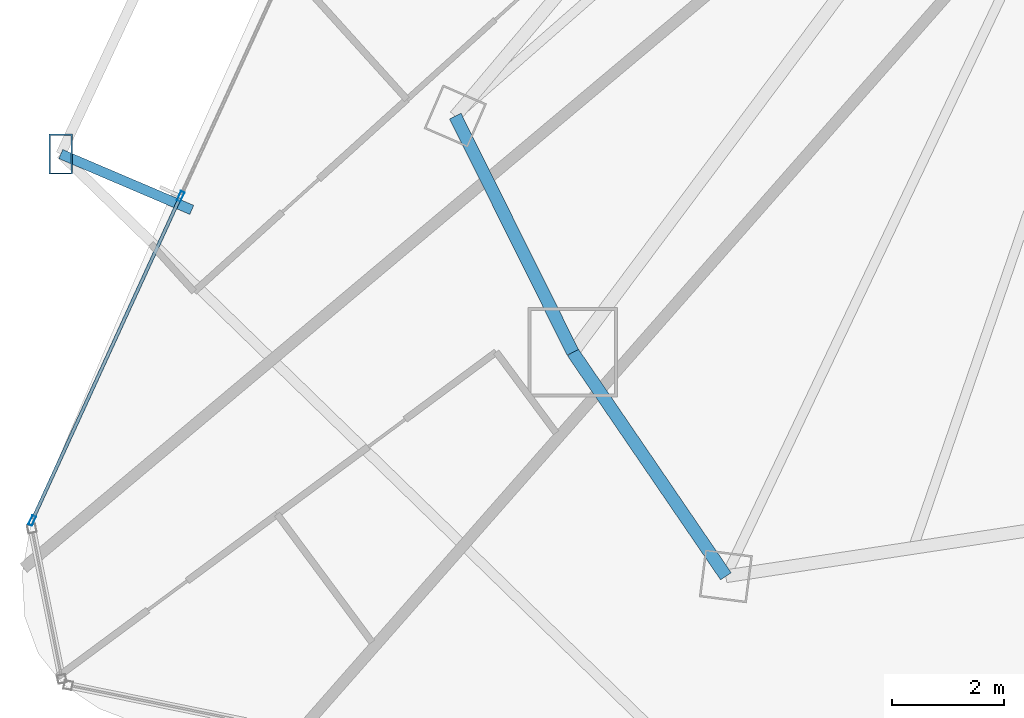
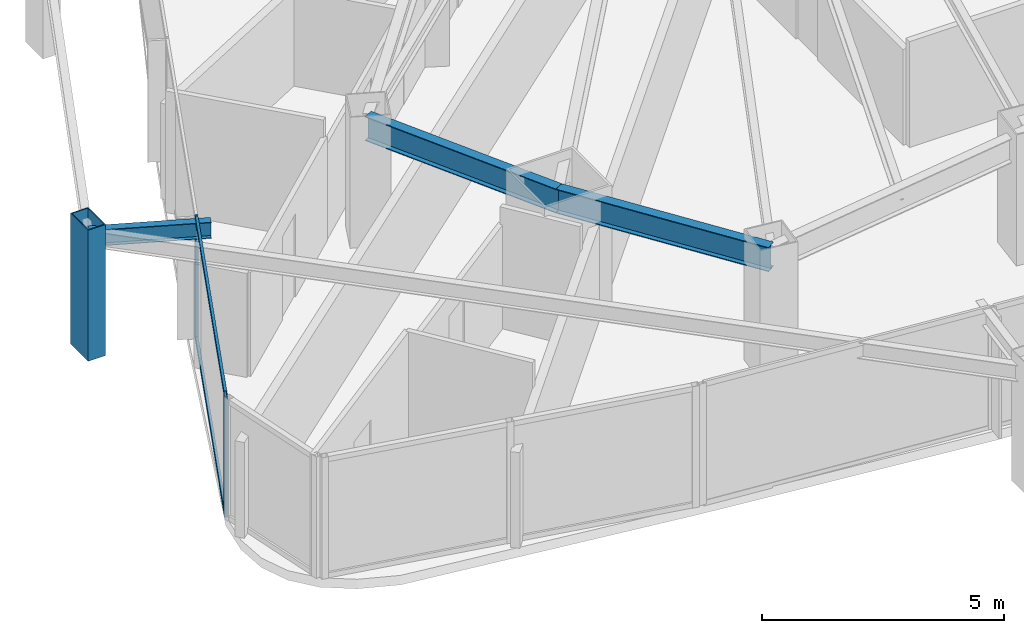
# One storey, part 5 of 38: 5 members, 3 beams, 1 element without a shape of its own.
"""IFC4 building model written with IfcOpenShell, lengths in metres."""

from ifc_helpers import new_model, si_unit, direction, frame, origin, origin_2d, place, context, subcontext, project, spatial, hollow_rectangle, i_section, extrude, material, layer, layer_set, material_profile, profile_set, type_object, element, aggregate, save


model = new_model("IFC4")

# Units and contexts
model_context = context("Model", 3, precision=1e-05, world=origin(), true_north=direction((0.0, 1.0)))
body_context = subcontext(model_context, "Body", "Model", "MODEL_VIEW")
ifc_project = project(units=[si_unit("LENGTHUNIT", "METRE"), si_unit("AREAUNIT", "SQUARE_METRE"), si_unit("VOLUMEUNIT", "CUBIC_METRE"), si_unit("PLANEANGLEUNIT", "RADIAN"), si_unit("MASSUNIT", "GRAM", prefix="KILO")], contexts=[model_context])

# Site, building, storey
site_placement = place(None, origin())
site = spatial("IfcSite", under=ifc_project, at=site_placement, CompositionType="ELEMENT")
building_placement = place(site_placement, origin())
building = spatial("IfcBuilding", under=site, at=building_placement, Name="Orvanel Arch Residences", CompositionType="ELEMENT")
storey_placement = place(building_placement, frame((0.0, 0.0, 46.699951171875)))
storey = spatial("IfcBuildingStorey", under=building, at=storey_placement, Name="L12", CompositionType="ELEMENT", Elevation=46.699951171875)

# Member
ifc_material_1 = material(Name="Structural steel AS/NZS 3678 Grade 350", Category="steel")
ifc_material_profile_1 = material_profile(ifc_material_1, hollow_rectangle(XDim=0.419921875, YDim=0.719970703125, WallThickness=0.02490234375, at=origin_2d()), Name="RHS720x420x25")
ifc_profile_set_1 = profile_set([ifc_material_profile_1], Name="Structural steel AS/NZS 3678 Grade 350")
member_type_1 = type_object("IfcMemberType", Name="CH-720RHS-EXT", PredefinedType="CHORD", material=ifc_profile_set_1)
member_1_placement = place(storey_placement, frame((5.029052734375, 13.90087890625, 0.0), z_axis=(0.0, 0.0, 1.0), x_axis=(1.0, 0.0, 0.0)))
element("IfcMember", 1, at=member_1_placement, inside=storey, type_object=member_type_1, Name="L12 Outer Perimeter Frame Post 04", PredefinedType="CHORD", context=body_context, shape_type="SweptSolid", body=[
    extrude(hollow_rectangle(XDim=0.419921875, YDim=0.719970703125, WallThickness=0.02490234375, at=origin_2d()), origin(), (0.0, 0.0, 1.0), 3.300048828125),
])

# Curtain wall, members
ifc_material_2 = material(Name="Bronze-anodised aluminium AA6063-T6", Category="aluminium")
ifc_layer = layer(ifc_material_2, 0.179931640625)
ifc_layer_set = layer_set([ifc_layer], Name="Bronze-anodised aluminium AA6063-T6")
curtain_wall_type = type_object("IfcCurtainWallType", Name="CW2-LOW-SYS", PredefinedType="NOTDEFINED", material=ifc_layer_set)
curtain_wall_placement = place(storey_placement, origin())
curtain_wall = element("IfcCurtainWall", 2, at=curtain_wall_placement, inside=storey, type_object=curtain_wall_type, Name="L12 CW2-LOW-SYS Unitised Curtain Wall", PredefinedType="NOTDEFINED")
ifc_material_profile_2 = material_profile(ifc_material_2, hollow_rectangle(XDim=0.070068359375, YDim=0.179931640625, WallThickness=0.00439453125, at=origin_2d()), Name="ALU180x70x4.5")
ifc_profile_set_2 = profile_set([ifc_material_profile_2], Name="Bronze-anodised aluminium AA6063-T6")
member_type_2 = type_object("IfcMemberType", Name="MUL-180x70", PredefinedType="MULLION", material=ifc_profile_set_2)
member_2_placement = place(storey_placement, frame((7.17529296875, 13.1435546875, 0.0), z_axis=(0.0, 0.0, 1.0), x_axis=(0.909193369398, -0.416374131092, 0.0)))
member_2 = element("IfcMember", 3, at=member_2_placement, type_object=member_type_2, Name="CW-S2 mullion 3", PredefinedType="MULLION", context=body_context, shape_type="SweptSolid", body=[
    extrude(hollow_rectangle(XDim=0.070068359375, YDim=0.179931640625, WallThickness=0.00439453125, at=origin_2d()), origin(), (0.0, 0.0, 1.0), 3.06005859375),
])
member_3_placement = place(storey_placement, frame((4.515625, 7.3359375, 0.0), z_axis=(0.0, 0.0, 1.0), x_axis=(0.909193369398, -0.416374131092, 0.0)))
member_3 = element("IfcMember", 4, at=member_3_placement, type_object=member_type_2, Name="CW-S2 mullion 4", PredefinedType="MULLION", context=body_context, shape_type="SweptSolid", body=[
    extrude(hollow_rectangle(XDim=0.070068359375, YDim=0.179931640625, WallThickness=0.00439453125, at=origin_2d()), origin(), (0.0, 0.0, 1.0), 3.06005859375),
])

# Beams
ifc_material_3 = material(Name="Structural steel AS/NZS 3679.1 Grade 300 (300 MPa)", Category="steel")
ifc_material_profile_3 = material_profile(ifc_material_3, i_section(OverallWidth=0.177978515625, OverallDepth=0.406005859375, WebThickness=0.0078125, FlangeThickness=0.0126953125, at=origin_2d()), Name="410UB59.7")
ifc_profile_set_3 = profile_set([ifc_material_profile_3], Name="Structural steel AS/NZS 3679.1 Grade 300 (300 MPa)")
beam_type_1 = type_object("IfcBeamType", Name="OB-410UB-EXT", PredefinedType="SPANDREL", material=ifc_profile_set_3)
beam_1_placement = place(storey_placement, frame((7.375, 12.90087890625, 2.85693359375), z_axis=(-0.919910810227, 0.39212765935, 0.0), x_axis=(-0.39212765935, -0.919910810227, 0.0)))
element("IfcBeam", 5, at=beam_1_placement, inside=storey, type_object=beam_type_1, Name="L12 Outer Frame Radial Tie Beam 04", PredefinedType="SPANDREL", context=body_context, shape_type="SweptSolid", body=[
    extrude(i_section(OverallWidth=0.177978515625, OverallDepth=0.406005859375, WebThickness=0.0078125, FlangeThickness=0.0126953125, at=origin_2d()), origin(), (0.0, 0.0, 1.0), 2.55029296875),
])
ifc_material_profile_4 = material_profile(ifc_material_3, i_section(OverallWidth=0.22900390625, OverallDepth=0.612060546875, WebThickness=0.011962890625, FlangeThickness=0.01953125, at=origin_2d()), Name="610UB125")
ifc_profile_set_4 = profile_set([ifc_material_profile_4], Name="Structural steel AS/NZS 3679.1 Grade 300 (300 MPa)")
beam_type_2 = type_object("IfcBeamType", Name="SP-610UB", PredefinedType="SPANDREL", material=ifc_profile_set_4)
beam_2_placement = place(storey_placement, frame((12.094970703125, 14.580078125, 2.754150390625), z_axis=(0.44543469453, -0.895314432425, 0.0), x_axis=(0.895314432425, 0.44543469453, 0.0)))
element("IfcBeam", 6, at=beam_2_placement, inside=storey, type_object=beam_type_2, Name="L12 Perimeter Spandrel Beam 02", PredefinedType="SPANDREL", context=body_context, shape_type="SweptSolid", body=[
    extrude(i_section(OverallWidth=0.22900390625, OverallDepth=0.612060546875, WebThickness=0.011962890625, FlangeThickness=0.01953125, at=origin_2d()), origin(), (0.0, 0.0, 1.0), 4.723388671875),
])
beam_3_placement = place(storey_placement, frame((14.198974609375, 10.35107421875, 2.754150390625), z_axis=(0.564251579852, -0.825602903722, 0.0), x_axis=(0.825602903722, 0.564251579852, 0.0)))
element("IfcBeam", 7, at=beam_3_placement, inside=storey, type_object=beam_type_2, Name="L12 Perimeter Spandrel Beam 03", PredefinedType="SPANDREL", context=body_context, shape_type="SweptSolid", body=[
    extrude(i_section(OverallWidth=0.22900390625, OverallDepth=0.612060546875, WebThickness=0.011962890625, FlangeThickness=0.01953125, at=origin_2d()), origin(), (0.0, 0.0, 1.0), 4.859375),
])

# Member
ifc_material_profile_5 = material_profile(ifc_material_2, hollow_rectangle(XDim=0.06005859375, YDim=0.135009765625, WallThickness=0.00390625, at=origin_2d()), Name="ALU135x60x4")
ifc_profile_set_5 = profile_set([ifc_material_profile_5], Name="Bronze-anodised aluminium AA6063-T6")
member_type_3 = type_object("IfcMemberType", Name="TRN-135x60", PredefinedType="USERDEFINED", material=ifc_profile_set_5)
member_4_placement = place(storey_placement, frame((7.16064453125, 13.11181640625, 0.030029296875), z_axis=(-0.416377925515, -0.909191631695, 0.0), x_axis=(0.909191631695, -0.416377925515, 0.0)))
member_4 = element("IfcMember", 8, at=member_4_placement, type_object=member_type_3, Name="CW-S2 transom 3.1", ObjectType="TRANSOM", PredefinedType="USERDEFINED", context=body_context, shape_type="SweptSolid", body=[
    extrude(hollow_rectangle(XDim=0.06005859375, YDim=0.135009765625, WallThickness=0.00390625, at=origin_2d()), origin(), (0.0, 0.0, 1.0), 6.31787109375),
])

member_5_placement = place(storey_placement, frame((7.16064453125, 13.11181640625, 3.030029296875), z_axis=(-0.416377925515, -0.909191631695, 0.0), x_axis=(0.909191631695, -0.416377925515, 0.0)))
member_5 = element("IfcMember", 9, at=member_5_placement, type_object=member_type_3, Name="CW-S2 transom 3.2", ObjectType="TRANSOM", PredefinedType="USERDEFINED", context=body_context, shape_type="SweptSolid", body=[
    extrude(hollow_rectangle(XDim=0.06005859375, YDim=0.135009765625, WallThickness=0.00390625, at=origin_2d()), origin(), (0.0, 0.0, 1.0), 6.31787109375),
])

aggregate(curtain_wall, [member_2, member_3, member_4, member_5])

save(model, "model.ifc")
